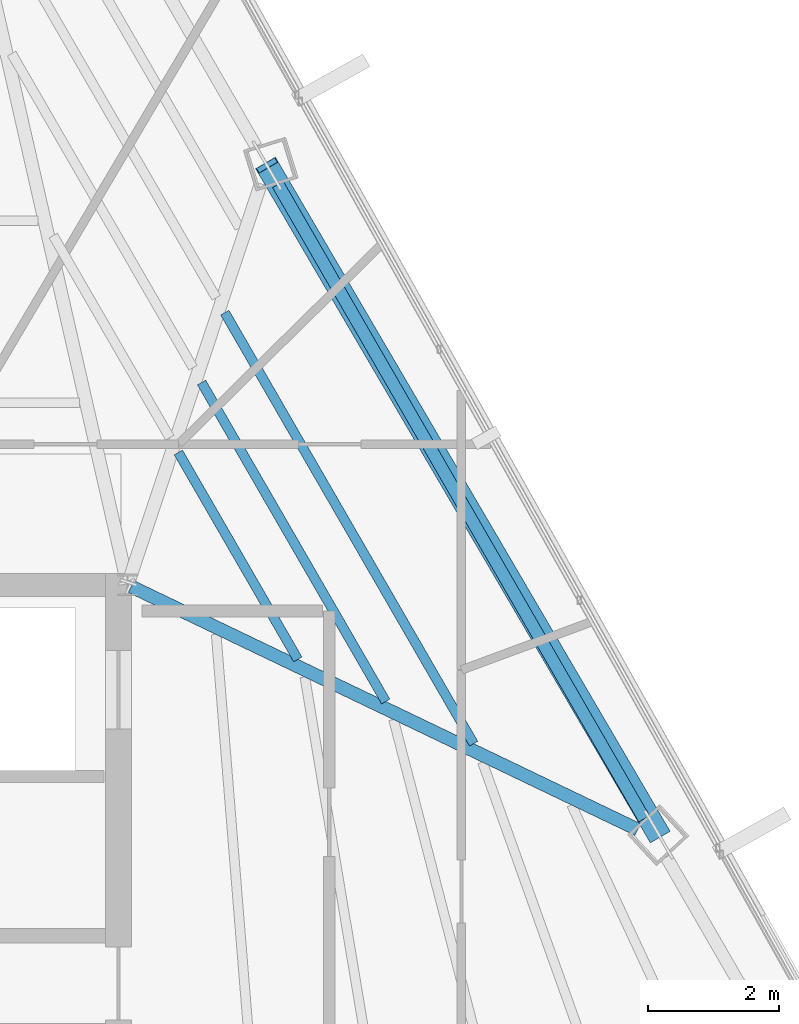
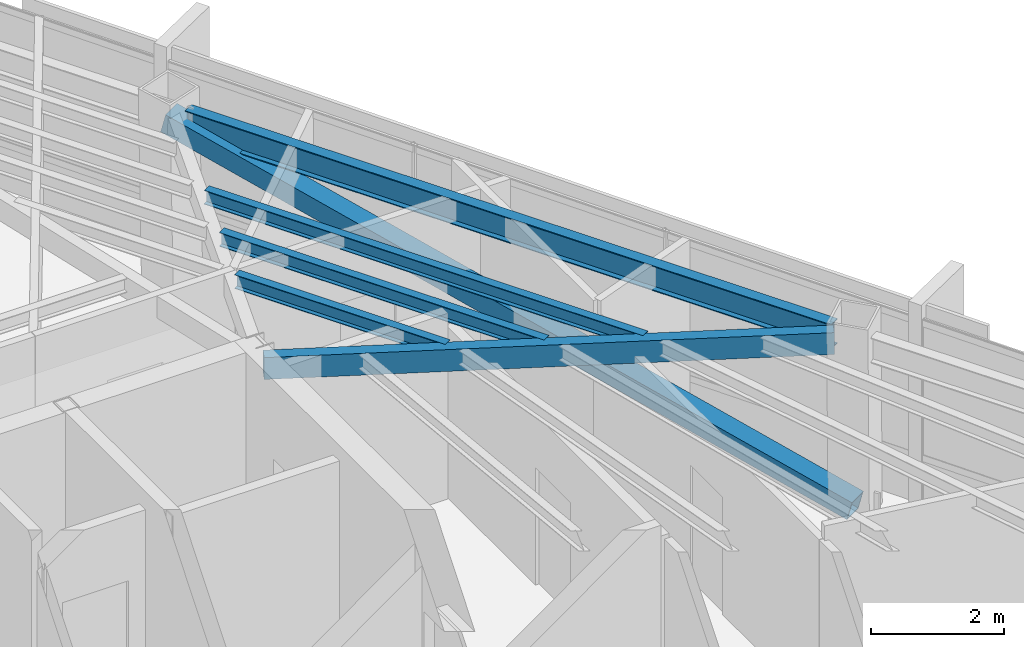
# One storey, part 27 of 44: 5 beams, 1 member.
"""IFC4 building model written with IfcOpenShell, lengths in metres."""

import ifcopenshell
import ifcopenshell.guid

model = None  # the IFC model being written
_history = None  # IfcOwnerHistory: only IFC2X3 demands one
_inside = {}  # id of a spatial element -> (the spatial element, [elements in it])
_under = {}  # id of a project, library or spatial element -> (it, [spatial elements below it])
_declared = {}  # id of a project -> (the project, [libraries it declares])
_typed = {}  # id of a type object -> (the type object, [elements of that type])
_made_of = {}  # id of a material, layer set ... -> (it, [elements and type objects made of it])


def new_model(schema):
    """Start an empty IFC model of exactly this schema.

    Asked for "IFC4X3", IfcOpenShell would pick the latest addendum, in which some entities
    have other attributes; the version numbers below select the first issue.
    IFC2X3 requires an IfcOwnerHistory on every rooted entity: one is made here for all.
    """
    global model, _history
    if schema == "IFC4X3":
        model = ifcopenshell.file(schema_version=(4, 3, 0, 0))
    else:
        model = ifcopenshell.file(schema=schema)
    _inside.clear()
    _under.clear()
    _declared.clear()
    _typed.clear()
    _made_of.clear()
    _history = None
    if model.schema == "IFC2X3":
        org = make("IfcOrganization", Name="unknown")
        user = make(
            "IfcPersonAndOrganization",
            ThePerson=make("IfcPerson", FamilyName="unknown"),
            TheOrganization=org,
        )
        app = make(
            "IfcApplication",
            ApplicationDeveloper=org,
            Version="unknown",
            ApplicationFullName="unknown",
            ApplicationIdentifier="unknown",
        )
        _history = make(
            "IfcOwnerHistory",
            OwningUser=user,
            OwningApplication=app,
            ChangeAction="ADDED",
            CreationDate=0,
        )
    return model


def make(cls, **values):
    """One entity of the class cls with the attributes given. An attribute that is None is left unset."""
    return model.create_entity(
        cls, **{name: value for name, value in values.items() if value is not None}
    )


def rooted(cls, **values):
    """An entity with a GlobalId (a new one), such as an element, a storey or a relation."""
    return make(cls, GlobalId=ifcopenshell.guid.new(), OwnerHistory=_history, **values)


def si_unit(unit_type, name, prefix=None):
    """IfcSIUnit, for example si_unit("LENGTHUNIT", "METRE", prefix="MILLI")."""
    return make("IfcSIUnit", UnitType=unit_type, Prefix=prefix, Name=name)


def assignment(units):
    """IfcUnitAssignment: the units of a project."""
    return None if units is None else make("IfcUnitAssignment", Units=units)


def point(xyz):
    """IfcCartesianPoint."""
    return None if xyz is None else make("IfcCartesianPoint", Coordinates=xyz)


def direction(xyz):
    """IfcDirection."""
    return None if xyz is None else make("IfcDirection", DirectionRatios=xyz)


def frame(location, z_axis=None, x_axis=None):
    """IfcAxis2Placement3D, a coordinate frame: its origin and axes. An axis left out is left unset."""
    return make(
        "IfcAxis2Placement3D",
        Location=point(location),
        Axis=direction(z_axis),
        RefDirection=direction(x_axis),
    )


def frame_2d(location, x_axis=None):
    """IfcAxis2Placement2D, a coordinate frame in the plane: its origin and x axis."""
    return make(
        "IfcAxis2Placement2D", Location=point(location), RefDirection=direction(x_axis)
    )


def origin():
    """The frame at (0, 0, 0) with its axes left unset."""
    return frame((0.0, 0.0, 0.0))


def origin_2d():
    """The frame at (0, 0) in the plane with its x axis left unset."""
    return frame_2d((0.0, 0.0))


def place(relative_to, where):
    """IfcLocalPlacement: puts the frame where relative to a parent placement (None: the world)."""
    return make(
        "IfcLocalPlacement", PlacementRelTo=relative_to, RelativePlacement=where
    )


def context(
    kind, dimensions, precision=None, world=None, true_north=None, identifier=None
):
    """IfcGeometricRepresentationContext, for example the 3D "Model" context."""
    return make(
        "IfcGeometricRepresentationContext",
        ContextIdentifier=identifier,
        ContextType=kind,
        CoordinateSpaceDimension=dimensions,
        Precision=precision,
        WorldCoordinateSystem=world,
        TrueNorth=true_north,
    )


def subcontext(parent, identifier, kind, view, scale=None):
    """IfcGeometricRepresentationSubContext, for example "Body" below "Model"."""
    return make(
        "IfcGeometricRepresentationSubContext",
        ContextIdentifier=identifier,
        ContextType=kind,
        ParentContext=parent,
        TargetScale=scale,
        TargetView=view,
    )


def project(units=None, contexts=None):
    """IfcProject with its units and contexts."""
    return rooted(
        "IfcProject",
        Name="project",
        RepresentationContexts=contexts,
        UnitsInContext=assignment(units),
    )


def spatial(cls, under=None, at=None, **own):
    """A site, building, storey or space (cls), placed at a placement, below another one or the project."""
    s = rooted(cls, ObjectPlacement=at, **own)
    if under is not None:
        _under.setdefault(under.id(), (under, []))[1].append(s)
    return s


def profile(cls, at=None, kind="AREA", **sizes):
    """A parametric profile (cls). Its sizes go by their IFC names, for example OverallWidth=200.0."""
    return make(cls, ProfileType=kind, Position=at, **sizes)


def hollow_rectangle(**sizes):
    """IfcRectangleHollowProfileDef."""
    return profile("IfcRectangleHollowProfileDef", **sizes)


def i_section(**sizes):
    """IfcIShapeProfileDef."""
    return profile("IfcIShapeProfileDef", **sizes)


def extrude(swept, where, along, depth):
    """IfcExtrudedAreaSolid: the profile swept, set in the frame where, extruded along a direction by depth."""
    return make(
        "IfcExtrudedAreaSolid",
        SweptArea=swept,
        Position=where,
        ExtrudedDirection=direction(along),
        Depth=depth,
    )


def shape(context_of_items, identifier, shape_type, items):
    """IfcShapeRepresentation: the items that make up one representation, for example the "Body"."""
    return make(
        "IfcShapeRepresentation",
        ContextOfItems=context_of_items,
        RepresentationIdentifier=identifier,
        RepresentationType=shape_type,
        Items=items,
    )


def source(mapping_origin, context_of_items, identifier, shape_type, items):
    """IfcRepresentationMap: a shape defined once, which mapped items show again and again."""
    return make(
        "IfcRepresentationMap",
        MappingOrigin=mapping_origin,
        MappedRepresentation=shape(context_of_items, identifier, shape_type, items),
    )


def transform(
    local_origin,
    x_axis=None,
    y_axis=None,
    z_axis=None,
    scale=None,
    scale2=None,
    scale3=None,
    uniform=True,
):
    """IfcCartesianTransformationOperator3D, or its non-uniform kind. x_axis, y_axis, z_axis: its Axis1, 2, 3."""
    if uniform:
        return make(
            "IfcCartesianTransformationOperator3D",
            Axis1=direction(x_axis),
            Axis2=direction(y_axis),
            LocalOrigin=point(local_origin),
            Scale=scale,
            Axis3=direction(z_axis),
        )
    return make(
        "IfcCartesianTransformationOperator3DnonUniform",
        Axis1=direction(x_axis),
        Axis2=direction(y_axis),
        LocalOrigin=point(local_origin),
        Scale=scale,
        Axis3=direction(z_axis),
        Scale2=scale2,
        Scale3=scale3,
    )


def mapped(mapping_source, mapping_target):
    """IfcMappedItem: shows the shape of a source again, moved by a transform."""
    return make(
        "IfcMappedItem", MappingSource=mapping_source, MappingTarget=mapping_target
    )


def material(Name=None, Category=None):
    """IfcMaterial."""
    return make("IfcMaterial", Name=Name, Category=Category)


def material_profile(
    of_material, cross_section, Name=None, Category=None, Priority=None
):
    """IfcMaterialProfile: a cross section and its material."""
    return make(
        "IfcMaterialProfile",
        Name=Name,
        Material=of_material,
        Profile=cross_section,
        Priority=Priority,
        Category=Category,
    )


def profile_set(profiles, Name=None, composite=None):
    """IfcMaterialProfileSet."""
    return make(
        "IfcMaterialProfileSet",
        Name=Name,
        MaterialProfiles=profiles,
        CompositeProfile=composite,
    )


def made_of(thing, what):
    """Note that an element or type object is made of a material, layer set ...; save() writes the relation."""
    if what is not None:
        _made_of.setdefault(what.id(), (what, []))[1].append(thing)
    return thing


def type_object(cls, material=None, **own):
    """A type object (cls), such as IfcWallType, which elements share."""
    return made_of(rooted(cls, **own), material)


def type_shapes(of_type, sources):
    """Give a type object the sources (RepresentationMaps) that its elements show as mapped items."""
    of_type.RepresentationMaps = sources


def element(
    cls,
    number,
    at=None,
    inside=None,
    cuts=None,
    type_object=None,
    material=None,
    context=None,
    identifier="Body",
    shape_type=None,
    held_by="IfcProductDefinitionShape",
    body=None,
    shapes=None,
    **own,
):
    """One element of the class cls, such as IfcWall. Its Tag is "e" and its number.

    at: its placement. inside: the storey or other place that contains it. cuts: it is an
    opening in that element (IfcRelVoidsElement). A single representation is given by context,
    identifier, shape_type and body (its items); several are given by shapes. held_by: the class
    of the entity that holds the representations. save() writes the other relations.
    """
    e = rooted(cls, Tag="e%d" % number, ObjectPlacement=at, **own)
    if body is not None:
        shapes = [shape(context, identifier, shape_type, body)]
    if shapes is not None:
        e.Representation = make(held_by, Representations=shapes)
    if inside is not None:
        _inside.setdefault(inside.id(), (inside, []))[1].append(e)
    if cuts is not None:
        rooted(
            "IfcRelVoidsElement", RelatingBuildingElement=cuts, RelatedOpeningElement=e
        )
    if type_object is not None:
        _typed.setdefault(type_object.id(), (type_object, []))[1].append(e)
    return made_of(e, material)


def aggregate(whole, parts):
    """IfcRelAggregates: a whole, such as a stair, and the parts it consists of."""
    return rooted("IfcRelAggregates", RelatingObject=whole, RelatedObjects=parts)


def save(model, path):
    """Write the relations noted so far, then the file.

    IfcRelAggregates (storeys below a building ...), IfcRelContainedInSpatialStructure (elements
    in a storey), IfcRelDefinesByType, IfcRelAssociatesMaterial and IfcRelDeclares: one each for
    every whole, place, type object, material and project.
    """
    for whole, parts in _under.values():
        aggregate(whole, parts)
    for where, things in _inside.values():
        rooted(
            "IfcRelContainedInSpatialStructure",
            RelatedElements=things,
            RelatingStructure=where,
        )
    for kind, things in _typed.values():
        rooted("IfcRelDefinesByType", RelatedObjects=things, RelatingType=kind)
    for what, things in _made_of.values():
        rooted("IfcRelAssociatesMaterial", RelatedObjects=things, RelatingMaterial=what)
    for by, libraries in _declared.values():
        rooted("IfcRelDeclares", RelatingContext=by, RelatedDefinitions=libraries)
    model.write(path)


model = new_model("IFC4")

# Units and contexts
model_context = context("Model", 3, precision=1e-05, world=origin(), true_north=direction((0.0, 1.0)))
body_context = subcontext(model_context, "Body", "Model", "MODEL_VIEW")
ifc_project = project(units=[si_unit("LENGTHUNIT", "METRE"), si_unit("AREAUNIT", "SQUARE_METRE"), si_unit("VOLUMEUNIT", "CUBIC_METRE"), si_unit("PLANEANGLEUNIT", "RADIAN"), si_unit("MASSUNIT", "GRAM", prefix="KILO")], contexts=[model_context])

# Site, building, storey
site_placement = place(None, origin())
site = spatial("IfcSite", under=ifc_project, at=site_placement, CompositionType="ELEMENT")
building_placement = place(site_placement, origin())
building = spatial("IfcBuilding", under=site, at=building_placement, Name="Caelisora Broadcast Tower", CompositionType="ELEMENT")
storey_placement = place(building_placement, frame((0.0, 0.0, 259.050048828125)))
storey = spatial("IfcBuildingStorey", under=building, at=storey_placement, Name="L68", CompositionType="ELEMENT", Elevation=259.050048828125)

# Beams
ifc_material_1 = material(Name="Steel Grade 350 (AS/NZS 3679.1)", Category="steel")
ifc_material_profile_1 = material_profile(ifc_material_1, i_section(OverallWidth=0.19091796875, OverallDepth=0.46044921875, WebThickness=0.010009765625, FlangeThickness=0.01611328125, at=origin_2d()), Name="Steel Grade 350 (AS/NZS 3679.1)")
ifc_profile_set_1 = profile_set([ifc_material_profile_1], Name="Steel Grade 350 (AS/NZS 3679.1)")
beam_type_1 = type_object("IfcBeamType", Name="PG06", PredefinedType="BEAM", material=ifc_profile_set_1)
shared_shape_1 = source(origin(), body_context, "Body", "SweptSolid", [
    extrude(i_section(OverallWidth=0.19091796875, OverallDepth=0.46044921875, WebThickness=0.010009765625, FlangeThickness=0.01611328125, at=origin_2d()), origin(), (0.0, 0.0, 1.0), 11.18994140625),
])
type_shapes(beam_type_1, [shared_shape_1])
beam_1_placement = place(storey_placement, frame((53.392333984375, 26.42626953125, 3.169677734375), z_axis=(-0.500003857942, 0.866023176389, 0.0), x_axis=(-0.866023176389, -0.500003857942, 0.0)))
element("IfcBeam", 1, at=beam_1_placement, inside=storey, type_object=beam_type_1, Name="L68 beam PG06", PredefinedType="BEAM", context=body_context, shape_type="MappedRepresentation", body=[
    mapped(shared_shape_1, transform((0.0, 0.0, 0.0), scale=1.0)),
])
ifc_material_2 = material(Name="Steel Grade 350 (AS/NZS 1163 C350L0)", Category="steel")
ifc_material_profile_2 = material_profile(ifc_material_2, hollow_rectangle(XDim=0.199951171875, YDim=0.39990234375, WallThickness=0.012451171875, at=origin_2d()), Name="Steel Grade 350 (AS/NZS 1163 C350L0)")
ifc_profile_set_2 = profile_set([ifc_material_profile_2], Name="Steel Grade 350 (AS/NZS 1163 C350L0)")
beam_type_2 = type_object("IfcBeamType", Name="PG07", PredefinedType="BEAM", material=ifc_profile_set_2)
shared_shape_2 = source(origin(), body_context, "Body", "SweptSolid", [
    extrude(hollow_rectangle(XDim=0.199951171875, YDim=0.39990234375, WallThickness=0.012451171875, at=origin_2d()), origin(), (0.0, 0.0, 1.0), 8.582275390625),
])
type_shapes(beam_type_2, [shared_shape_2])
beam_2_placement = place(storey_placement, frame((45.55419921875, 29.97412109375, 3.199951171875), z_axis=(0.901645981757, -0.432474882024, 0.0), x_axis=(0.432474882024, 0.901645981757, 0.0)))
element("IfcBeam", 2, at=beam_2_placement, inside=storey, type_object=beam_type_2, Name="L68 beam PG07", PredefinedType="BEAM", context=body_context, shape_type="MappedRepresentation", body=[
    mapped(shared_shape_2, transform((0.0, 0.0, 0.0), scale=1.0)),
])
ifc_material_profile_3 = material_profile(ifc_material_1, i_section(OverallWidth=0.14599609375, OverallDepth=0.256103515625, WebThickness=0.00634765625, FlangeThickness=0.010986328125, at=origin_2d()), Name="Steel Grade 350 (AS/NZS 3679.1)")
ifc_profile_set_3 = profile_set([ifc_material_profile_3], Name="Steel Grade 350 (AS/NZS 3679.1)")
beam_type_3 = type_object("IfcBeamType", Name="SB04", PredefinedType="JOIST", material=ifc_profile_set_3)
shared_shape_3 = source(origin(), body_context, "Body", "SweptSolid", [
    extrude(i_section(OverallWidth=0.14599609375, OverallDepth=0.256103515625, WebThickness=0.00634765625, FlangeThickness=0.010986328125, at=origin_2d()), origin(), (0.0, 0.0, 1.0), 3.650146484375),
])
beam_3_placement = place(storey_placement, frame((48.10009765625, 28.862060546875, 3.27197265625), z_axis=(-0.500023511883, 0.866011828767, 0.0), x_axis=(-0.866011828767, -0.500023511883, 0.0)))
element("IfcBeam", 3, at=beam_3_placement, inside=storey, type_object=beam_type_3, Name="L68 beam SB04", PredefinedType="JOIST", context=body_context, shape_type="MappedRepresentation", body=[
    mapped(shared_shape_3, transform((0.0, 0.0, 0.0), scale=1.0)),
])
shared_shape_4 = source(origin(), body_context, "Body", "SweptSolid", [
    extrude(i_section(OverallWidth=0.14599609375, OverallDepth=0.256103515625, WebThickness=0.00634765625, FlangeThickness=0.010986328125, at=origin_2d()), origin(), (0.0, 0.0, 1.0), 5.6279296875),
])
beam_4_placement = place(storey_placement, frame((49.443603515625, 28.217529296875, 3.27197265625), z_axis=(-0.49999281717, 0.866029550753, 0.0), x_axis=(-0.866029550753, -0.49999281717, 0.0)))
element("IfcBeam", 4, at=beam_4_placement, inside=storey, type_object=beam_type_3, Name="L68 beam SB04", PredefinedType="JOIST", context=body_context, shape_type="MappedRepresentation", body=[
    mapped(shared_shape_4, transform((0.0, 0.0, 0.0), scale=1.0)),
])
shared_shape_5 = source(origin(), body_context, "Body", "SweptSolid", [
    extrude(i_section(OverallWidth=0.14599609375, OverallDepth=0.256103515625, WebThickness=0.00634765625, FlangeThickness=0.010986328125, at=origin_2d()), origin(), (0.0, 0.0, 1.0), 7.60546875),
])
type_shapes(beam_type_3, [shared_shape_3, shared_shape_4, shared_shape_5])
beam_5_placement = place(storey_placement, frame((50.787109375, 27.5732421875, 3.27197265625), z_axis=(-0.499991985073, 0.866030031155, 0.0), x_axis=(-0.866030031155, -0.499991985073, 0.0)))
element("IfcBeam", 5, at=beam_5_placement, inside=storey, type_object=beam_type_3, Name="L68 beam SB04", PredefinedType="JOIST", context=body_context, shape_type="MappedRepresentation", body=[
    mapped(shared_shape_5, transform((0.0, 0.0, 0.0), scale=1.0)),
])

# Member
ifc_material_3 = material(Name="Steel Grade 450 (AS/NZS 1163 C450L0)", Category="steel")
ifc_material_profile_4 = material_profile(ifc_material_3, hollow_rectangle(XDim=0.35009765625, YDim=0.35009765625, WallThickness=0.012451171875, at=origin_2d()), Name="Steel Grade 450 (AS/NZS 1163 C450L0)")
ifc_profile_set_4 = profile_set([ifc_material_profile_4], Name="Steel Grade 450 (AS/NZS 1163 C450L0)")
member_type = type_object("IfcMemberType", Name="BR05", PredefinedType="BRACE", material=ifc_profile_set_4)
shared_shape_6 = source(origin(), body_context, "Body", "SweptSolid", [
    extrude(hollow_rectangle(XDim=0.35009765625, YDim=0.35009765625, WallThickness=0.012451171875, at=origin_2d()), origin(), (0.0, 0.0, 1.0), 12.2236328125),
])
type_shapes(member_type, [shared_shape_6])
member_placement = place(storey_placement, frame((53.61572265625, 26.183837890625, 0.099853515625), z_axis=(-0.48981677227, 0.836567260909, 0.24542768299), x_axis=(-0.862961007813, -0.505270520607, 0.0)))
element("IfcMember", 6, at=member_placement, inside=storey, type_object=member_type, Name="L68 perimeter brace BR05", PredefinedType="BRACE", context=body_context, shape_type="MappedRepresentation", body=[
    mapped(shared_shape_6, transform((0.0, 0.0, 0.0), scale=1.0)),
])

save(model, "model.ifc")
